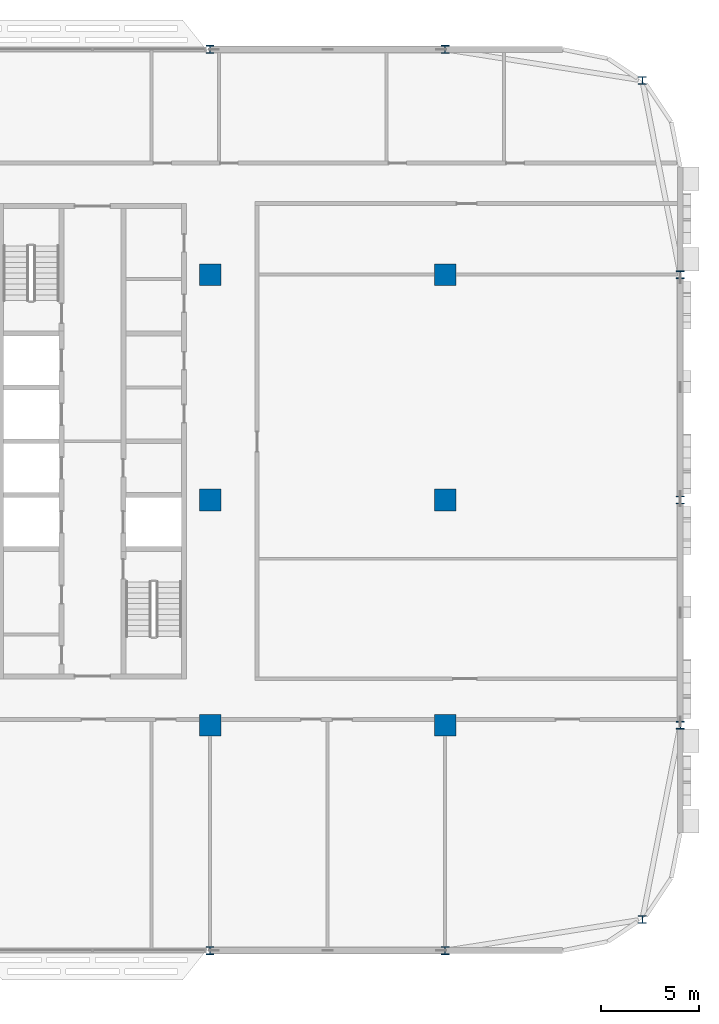
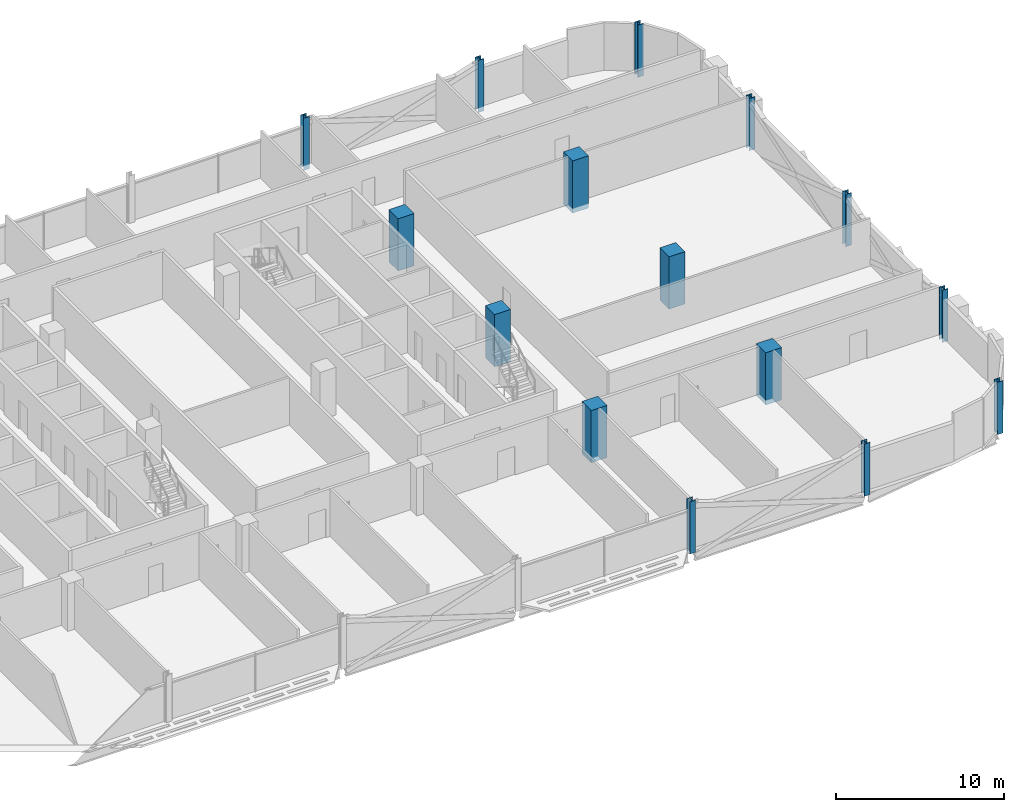
# One storey, part 3 of 30: 15 columns.
"""IFC4 building model written with IfcOpenShell, lengths in metres."""

from ifc_helpers import new_model, si_unit, direction, frame, origin, origin_2d, place, context, subcontext, project, spatial, rectangle, i_section, extrude, material, material_profile, profile_set, type_object, element, save


model = new_model("IFC4")

# Units and contexts
model_context = context("Model", 3, precision=1e-05, world=origin(), true_north=direction((0.0, 1.0)))
body_context = subcontext(model_context, "Body", "Model", "MODEL_VIEW")
ifc_project = project(units=[si_unit("LENGTHUNIT", "METRE"), si_unit("AREAUNIT", "SQUARE_METRE"), si_unit("VOLUMEUNIT", "CUBIC_METRE"), si_unit("PLANEANGLEUNIT", "RADIAN"), si_unit("MASSUNIT", "GRAM", prefix="KILO")], contexts=[model_context])

# Site, building, storey
site_placement = place(None, origin())
site = spatial("IfcSite", under=ifc_project, at=site_placement, CompositionType="ELEMENT")
building_placement = place(site_placement, origin())
building = spatial("IfcBuilding", under=site, at=building_placement, Name="Mahtab Terrace Research Tower", CompositionType="ELEMENT")
storey_placement = place(building_placement, frame((0.0, 0.0, 205.300048828125)))
storey = spatial("IfcBuildingStorey", under=building, at=storey_placement, Name="L49", CompositionType="ELEMENT", Elevation=205.300048828125)

# Columns
ifc_material_1 = material(Name="Concrete C70/85", Category="concrete")
ifc_material_profile_1 = material_profile(ifc_material_1, rectangle(XDim=1.10009765625, YDim=1.10009765625, at=origin_2d()), Name="RC column 1100x1100")
ifc_profile_set_1 = profile_set([ifc_material_profile_1], Name="Concrete C70/85")
column_type_1 = type_object("IfcColumnType", Name="RC column 1100x1100", PredefinedType="COLUMN", material=ifc_profile_set_1)
for number, where, z_axis, x_axis, name in (
    (1, (30.0, -11.5, -0.340087890625), (0.0, 0.0, 1.0), (1.0, 0.0, 0.0), "Column RC-7A L49"),
    (2, (30.0, 0.0, -0.340087890625), (0.0, 0.0, 1.0), (1.0, 0.0, 0.0), "Column RC-7B L49"),
    (3, (30.0, 11.5, -0.340087890625), (0.0, 0.0, 1.0), (1.0, 0.0, 0.0), "Column RC-7C L49"),
    (4, (42.0, -11.5, -0.340087890625), (0.0, 0.0, 1.0), (1.0, 0.0, 0.0), "Column RC-8A L49"),
    (5, (42.0, 0.0, -0.340087890625), (0.0, 0.0, 1.0), (1.0, 0.0, 0.0), "Column RC-8B L49"),
    (6, (42.0, 11.5, -0.340087890625), (0.0, 0.0, 1.0), (1.0, 0.0, 0.0), "Column RC-8C L49"),
):
    element("IfcColumn", number, at=place(storey_placement, frame(where, z_axis=z_axis, x_axis=x_axis)), inside=storey, type_object=column_type_1, Name=name, PredefinedType="COLUMN", context=body_context, shape_type="SweptSolid", body=[
        extrude(rectangle(XDim=1.10009765625, YDim=1.10009765625, at=origin_2d()), origin(), (0.0, 0.0, 1.0), 3.800048828125),
    ])
ifc_material_2 = material(Name="Steel ASTM A992 Gr 50", Category="steel")
ifc_material_profile_2 = material_profile(ifc_material_2, i_section(OverallWidth=0.4013671875, OverallDepth=0.398681640625, WebThickness=0.02490234375, FlangeThickness=0.03955078125, at=origin_2d()), Name="W14X211")
ifc_profile_set_2 = profile_set([ifc_material_profile_2], Name="Steel ASTM A992 Gr 50")
column_type_2 = type_object("IfcColumnType", Name="W14x211 column CS14211", PredefinedType="COLUMN", material=ifc_profile_set_2)
for number, where, z_axis, x_axis, name in (
    (7, (52.06201171875, 21.416015625, -0.340087890625), (0.0, 0.0, 1.0), (1.0, 0.0, 0.0), "Column SC-023 L49"),
    (8, (42.0, 23.0, -0.340087890625), (0.0, 0.0, 1.0), (1.0, 0.0, 0.0), "Column SC-001 L49"),
    (9, (30.0, 23.0, -0.340087890625), (0.0, 0.0, 1.0), (1.0, 0.0, 0.0), "Column SC-002 L49"),
    (10, (30.0, -23.0, -0.340087890625), (0.0, 0.0, 1.0), (1.0, 0.0, 0.0), "Column SC-018 L49"),
    (11, (42.0, -23.0, -0.340087890625), (0.0, 0.0, 1.0), (1.0, 0.0, 0.0), "Column SC-019 L49"),
    (12, (52.06201171875, -21.416015625, -0.340087890625), (0.0, 0.0, 1.0), (1.0, 0.0, 0.0), "Column SC-026 L49"),
    (13, (54.0, -11.5, -0.340087890625), (0.0, 0.0, 1.0), (1.0, 0.0, 0.0), "Column SC-027 L49"),
    (14, (54.0, 0.0, -0.340087890625), (0.0, 0.0, 1.0), (1.0, 0.0, 0.0), "Column SC-028 L49"),
    (15, (54.0, 11.5, -0.340087890625), (0.0, 0.0, 1.0), (1.0, 0.0, 0.0), "Column SC-029 L49"),
):
    element("IfcColumn", number, at=place(storey_placement, frame(where, z_axis=z_axis, x_axis=x_axis)), inside=storey, type_object=column_type_2, Name=name, PredefinedType="COLUMN", context=body_context, shape_type="SweptSolid", body=[
        extrude(i_section(OverallWidth=0.4013671875, OverallDepth=0.398681640625, WebThickness=0.02490234375, FlangeThickness=0.03955078125, at=origin_2d()), origin(), (0.0, 0.0, 1.0), 3.800048828125),
    ])

save(model, "model.ifc")
